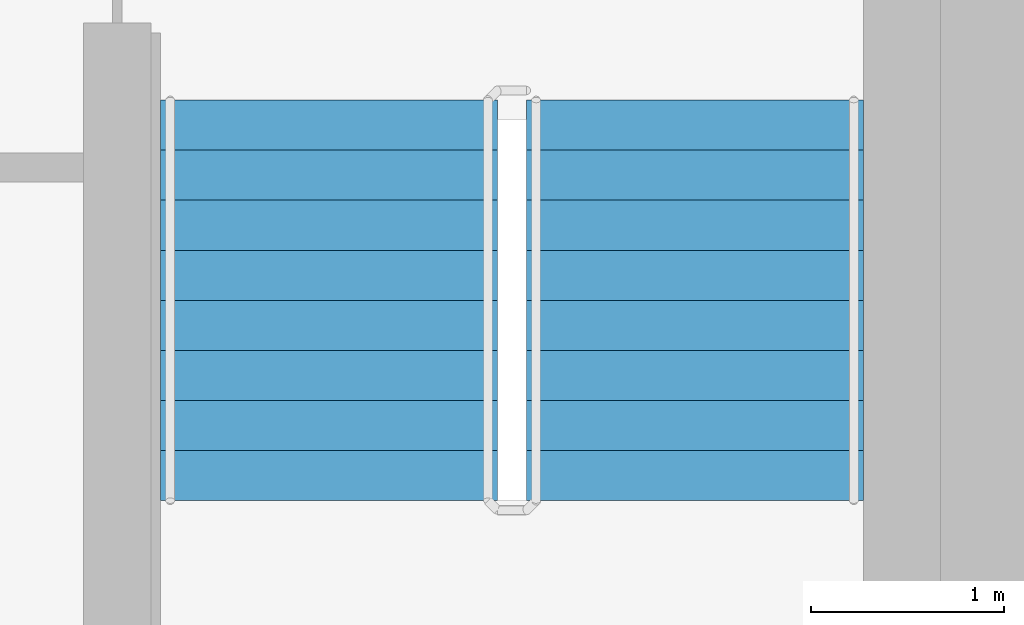
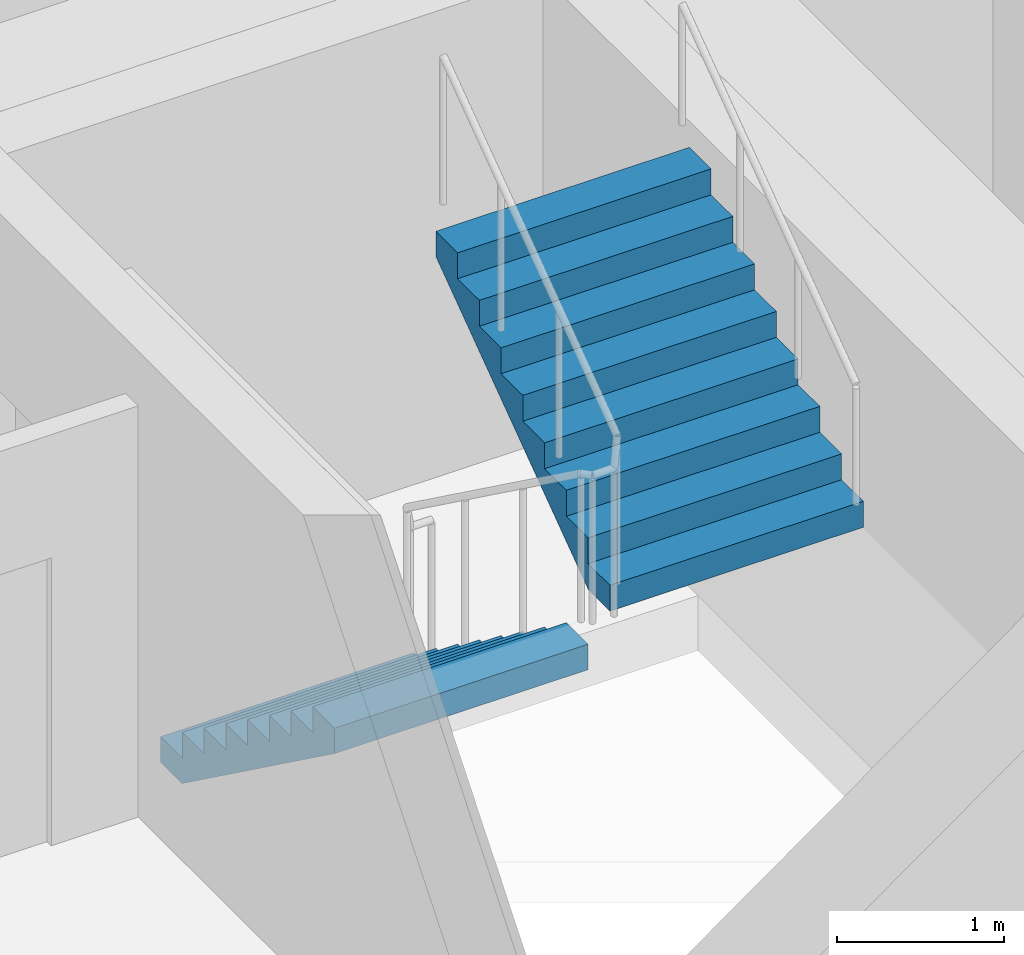
# One storey, part 15 of 19: 2 stair flights, 1 element without a shape of its own.
"""IFC4 building model written with IfcOpenShell, lengths in metres."""

from ifc_helpers import new_model, si_unit, direction, frame, origin, place, context, subcontext, project, spatial, faceted_brep, material, type_object, element, aggregate, save


model = new_model("IFC4")

# Units and contexts
model_context = context("Model", 3, precision=1e-05, world=origin(), true_north=direction((0.0, 1.0)))
body_context = subcontext(model_context, "Body", "Model", "MODEL_VIEW")
ifc_project = project(units=[si_unit("LENGTHUNIT", "METRE"), si_unit("AREAUNIT", "SQUARE_METRE"), si_unit("VOLUMEUNIT", "CUBIC_METRE"), si_unit("PLANEANGLEUNIT", "RADIAN"), si_unit("MASSUNIT", "GRAM", prefix="KILO")], contexts=[model_context])

# Site, building, storey
site_placement = place(None, origin())
site = spatial("IfcSite", under=ifc_project, at=site_placement, CompositionType="ELEMENT")
building_placement = place(site_placement, origin())
building = spatial("IfcBuilding", under=site, at=building_placement, Name="Ipe Terrace Towers", CompositionType="ELEMENT")
storey_placement = place(building_placement, frame((0.0, 0.0, 174.5)))
storey = spatial("IfcBuildingStorey", under=building, at=storey_placement, Name="L48", CompositionType="ELEMENT", Elevation=174.5)

# Stair, stair flights
ifc_material_1 = material(Name="Concrete C30/37", Category="concrete")
stair_type = type_object("IfcStairType", Name="Protected exit stair", PredefinedType="HALF_TURN_STAIR", material=ifc_material_1)
stair_placement = place(storey_placement, origin())
stair = element("IfcStair", 1, at=stair_placement, inside=storey, type_object=stair_type, Name="L48 Exit stair T2-C2", PredefinedType="HALF_TURN_STAIR")
ifc_material_2 = material(Name="Concrete C30/37", Category="concrete")
stair_flight_type = type_object("IfcStairFlightType", Name="Exit stair flight 1750", PredefinedType="STRAIGHT", material=ifc_material_2)
stair_flight_1_placement = place(storey_placement, frame((38.77490234375, -9.699951171875, 0.0), z_axis=(0.0, 0.0, 1.0), x_axis=(0.0, -1.0, 0.0)))
stair_flight_1 = element("IfcStairFlight", 2, at=stair_flight_1_placement, type_object=stair_flight_type, Name="T2-ST2 flight 1", NumberOfRisers=9, NumberOfTreads=8, PredefinedType="STRAIGHT", RiserHeight=0.188888889, TreadLength=0.26, context=body_context, shape_type="Brep", body=[
    faceted_brep([(0.255126953125, -0.875, 0.0), (2.080078125, -0.875, 1.325927734375), (2.080078125, -0.875, 1.51123046875), (1.820068359375, -0.875, 1.51123046875), (1.820068359375, -0.875, 1.322265625), (1.56005859375, -0.875, 1.322265625), (1.56005859375, -0.875, 1.13330078125), (1.300048828125, -0.875, 1.13330078125), (1.300048828125, -0.875, 0.9443359375), (1.0400390625, -0.875, 0.9443359375), (1.0400390625, -0.875, 0.755615234375), (0.780029296875, -0.875, 0.755615234375), (0.780029296875, -0.875, 0.566650390625), (0.52001953125, -0.875, 0.566650390625), (0.52001953125, -0.875, 0.377685546875), (0.260009765625, -0.875, 0.377685546875), (0.260009765625, -0.875, 0.18896484375), (0.0, -0.875, 0.18896484375), (0.0, -0.875, 0.0), (0.0, 0.875, 0.0), (0.0, 0.875, 0.18896484375), (0.260009765625, 0.875, 0.18896484375), (0.260009765625, 0.875, 0.377685546875), (0.52001953125, 0.875, 0.377685546875), (0.52001953125, 0.875, 0.566650390625), (0.780029296875, 0.875, 0.566650390625), (0.780029296875, 0.875, 0.755615234375), (1.0400390625, 0.875, 0.755615234375), (1.0400390625, 0.875, 0.9443359375), (1.300048828125, 0.875, 0.9443359375), (1.300048828125, 0.875, 1.13330078125), (1.56005859375, 0.875, 1.13330078125), (1.56005859375, 0.875, 1.322265625), (1.820068359375, 0.875, 1.322265625), (1.820068359375, 0.875, 1.51123046875), (2.080078125, 0.875, 1.51123046875), (2.080078125, 0.875, 1.325927734375), (0.255126953125, 0.875, 0.0), (0.0, -0.300048828125, 0.18896484375), (0.0, -0.1201171875, 0.18896484375), (0.0, -0.06005859375, 0.18896484375), (0.0, -0.030029296875, 0.18896484375), (0.0, -0.010009765625, 0.18896484375), (0.0, 0.0, 0.18896484375), (0.0, 0.010009765625, 0.18896484375), (0.0, 0.030029296875, 0.18896484375), (0.0, 0.06005859375, 0.18896484375), (0.0, 0.1201171875, 0.18896484375), (0.0, 0.300048828125, 0.18896484375), (0.0, 0.300048828125, 0.0), (0.0, 0.1201171875, 0.0), (0.0, 0.06005859375, 0.0), (0.0, 0.030029296875, 0.0), (0.0, 0.010009765625, 0.0), (0.0, 0.0, 0.0), (0.0, -0.010009765625, 0.0), (0.0, -0.030029296875, 0.0), (0.0, -0.06005859375, 0.0), (0.0, -0.1201171875, 0.0), (0.0, -0.300048828125, 0.0), (0.260009765625, -0.300048828125, 0.18896484375), (0.260009765625, -0.1201171875, 0.18896484375), (0.260009765625, -0.06005859375, 0.18896484375), (0.260009765625, -0.030029296875, 0.18896484375), (0.260009765625, -0.010009765625, 0.18896484375), (0.260009765625, 0.0, 0.18896484375), (0.260009765625, 0.010009765625, 0.18896484375), (0.260009765625, 0.030029296875, 0.18896484375), (0.260009765625, 0.06005859375, 0.18896484375), (0.260009765625, 0.1201171875, 0.18896484375), (0.260009765625, 0.300048828125, 0.18896484375), (0.260009765625, -0.300048828125, 0.377685546875), (0.260009765625, -0.1201171875, 0.377685546875), (0.260009765625, -0.06005859375, 0.377685546875), (0.260009765625, -0.030029296875, 0.377685546875), (0.260009765625, -0.010009765625, 0.377685546875), (0.260009765625, 0.0, 0.377685546875), (0.260009765625, 0.010009765625, 0.377685546875), (0.260009765625, 0.030029296875, 0.377685546875), (0.260009765625, 0.06005859375, 0.377685546875), (0.260009765625, 0.1201171875, 0.377685546875), (0.260009765625, 0.300048828125, 0.377685546875), (0.52001953125, -0.300048828125, 0.377685546875), (0.52001953125, -0.1201171875, 0.377685546875), (0.52001953125, -0.06005859375, 0.377685546875), (0.52001953125, -0.030029296875, 0.377685546875), (0.52001953125, -0.010009765625, 0.377685546875), (0.52001953125, 0.0, 0.377685546875), (0.52001953125, 0.010009765625, 0.377685546875), (0.52001953125, 0.030029296875, 0.377685546875), (0.52001953125, 0.06005859375, 0.377685546875), (0.52001953125, 0.1201171875, 0.377685546875), (0.52001953125, 0.300048828125, 0.377685546875), (0.52001953125, -0.300048828125, 0.566650390625), (0.52001953125, -0.1201171875, 0.566650390625), (0.52001953125, -0.06005859375, 0.566650390625), (0.52001953125, -0.030029296875, 0.566650390625), (0.52001953125, -0.010009765625, 0.566650390625), (0.52001953125, 0.0, 0.566650390625), (0.52001953125, 0.010009765625, 0.566650390625), (0.52001953125, 0.030029296875, 0.566650390625), (0.52001953125, 0.06005859375, 0.566650390625), (0.52001953125, 0.1201171875, 0.566650390625), (0.52001953125, 0.300048828125, 0.566650390625), (0.780029296875, -0.300048828125, 0.566650390625), (0.780029296875, -0.1201171875, 0.566650390625), (0.780029296875, -0.06005859375, 0.566650390625), (0.780029296875, -0.030029296875, 0.566650390625), (0.780029296875, -0.010009765625, 0.566650390625), (0.780029296875, 0.0, 0.566650390625), (0.780029296875, 0.010009765625, 0.566650390625), (0.780029296875, 0.030029296875, 0.566650390625), (0.780029296875, 0.06005859375, 0.566650390625), (0.780029296875, 0.1201171875, 0.566650390625), (0.780029296875, 0.300048828125, 0.566650390625), (0.780029296875, -0.300048828125, 0.755615234375), (0.780029296875, -0.1201171875, 0.755615234375), (0.780029296875, -0.06005859375, 0.755615234375), (0.780029296875, -0.030029296875, 0.755615234375), (0.780029296875, -0.010009765625, 0.755615234375), (0.780029296875, 0.0, 0.755615234375), (0.780029296875, 0.010009765625, 0.755615234375), (0.780029296875, 0.030029296875, 0.755615234375), (0.780029296875, 0.06005859375, 0.755615234375), (0.780029296875, 0.1201171875, 0.755615234375), (0.780029296875, 0.300048828125, 0.755615234375), (1.0400390625, -0.300048828125, 0.755615234375), (1.0400390625, -0.1201171875, 0.755615234375), (1.0400390625, -0.06005859375, 0.755615234375), (1.0400390625, -0.030029296875, 0.755615234375), (1.0400390625, -0.010009765625, 0.755615234375), (1.0400390625, 0.0, 0.755615234375), (1.0400390625, 0.010009765625, 0.755615234375), (1.0400390625, 0.030029296875, 0.755615234375), (1.0400390625, 0.06005859375, 0.755615234375), (1.0400390625, 0.1201171875, 0.755615234375), (1.0400390625, 0.300048828125, 0.755615234375), (1.0400390625, -0.300048828125, 0.9443359375), (1.0400390625, -0.1201171875, 0.9443359375), (1.0400390625, -0.06005859375, 0.9443359375), (1.0400390625, -0.030029296875, 0.9443359375), (1.0400390625, -0.010009765625, 0.9443359375), (1.0400390625, 0.0, 0.9443359375), (1.0400390625, 0.010009765625, 0.9443359375), (1.0400390625, 0.030029296875, 0.9443359375), (1.0400390625, 0.06005859375, 0.9443359375), (1.0400390625, 0.1201171875, 0.9443359375), (1.0400390625, 0.300048828125, 0.9443359375), (1.300048828125, -0.300048828125, 0.9443359375), (1.300048828125, -0.1201171875, 0.9443359375), (1.300048828125, -0.06005859375, 0.9443359375), (1.300048828125, -0.030029296875, 0.9443359375), (1.300048828125, -0.010009765625, 0.9443359375), (1.300048828125, 0.0, 0.9443359375), (1.300048828125, 0.010009765625, 0.9443359375), (1.300048828125, 0.030029296875, 0.9443359375), (1.300048828125, 0.06005859375, 0.9443359375), (1.300048828125, 0.1201171875, 0.9443359375), (1.300048828125, 0.300048828125, 0.9443359375), (1.300048828125, -0.300048828125, 1.13330078125), (1.300048828125, -0.1201171875, 1.13330078125), (1.300048828125, -0.06005859375, 1.13330078125), (1.300048828125, -0.030029296875, 1.13330078125), (1.300048828125, -0.010009765625, 1.13330078125), (1.300048828125, 0.0, 1.13330078125), (1.300048828125, 0.010009765625, 1.13330078125), (1.300048828125, 0.030029296875, 1.13330078125), (1.300048828125, 0.06005859375, 1.13330078125), (1.300048828125, 0.1201171875, 1.13330078125), (1.300048828125, 0.300048828125, 1.13330078125), (1.56005859375, -0.300048828125, 1.13330078125), (1.56005859375, -0.1201171875, 1.13330078125), (1.56005859375, -0.06005859375, 1.13330078125), (1.56005859375, -0.030029296875, 1.13330078125), (1.56005859375, -0.010009765625, 1.13330078125), (1.56005859375, 0.0, 1.13330078125), (1.56005859375, 0.010009765625, 1.13330078125), (1.56005859375, 0.030029296875, 1.13330078125), (1.56005859375, 0.06005859375, 1.13330078125), (1.56005859375, 0.1201171875, 1.13330078125), (1.56005859375, 0.300048828125, 1.13330078125), (1.56005859375, -0.300048828125, 1.322265625), (1.56005859375, -0.1201171875, 1.322265625), (1.56005859375, -0.06005859375, 1.322265625), (1.56005859375, -0.030029296875, 1.322265625), (1.56005859375, -0.010009765625, 1.322265625), (1.56005859375, 0.0, 1.322265625), (1.56005859375, 0.010009765625, 1.322265625), (1.56005859375, 0.030029296875, 1.322265625), (1.56005859375, 0.06005859375, 1.322265625), (1.56005859375, 0.1201171875, 1.322265625), (1.56005859375, 0.300048828125, 1.322265625), (1.820068359375, -0.300048828125, 1.322265625), (1.820068359375, -0.1201171875, 1.322265625), (1.820068359375, -0.06005859375, 1.322265625), (1.820068359375, -0.030029296875, 1.322265625), (1.820068359375, -0.010009765625, 1.322265625), (1.820068359375, 0.0, 1.322265625), (1.820068359375, 0.010009765625, 1.322265625), (1.820068359375, 0.030029296875, 1.322265625), (1.820068359375, 0.06005859375, 1.322265625), (1.820068359375, 0.1201171875, 1.322265625), (1.820068359375, 0.300048828125, 1.322265625), (1.820068359375, -0.300048828125, 1.51123046875), (1.820068359375, -0.1201171875, 1.51123046875), (1.820068359375, -0.06005859375, 1.51123046875), (1.820068359375, -0.030029296875, 1.51123046875), (1.820068359375, -0.010009765625, 1.51123046875), (1.820068359375, 0.0, 1.51123046875), (1.820068359375, 0.010009765625, 1.51123046875), (1.820068359375, 0.030029296875, 1.51123046875), (1.820068359375, 0.06005859375, 1.51123046875), (1.820068359375, 0.1201171875, 1.51123046875), (1.820068359375, 0.300048828125, 1.51123046875), (2.080078125, -0.300048828125, 1.51123046875), (2.080078125, -0.1201171875, 1.51123046875), (2.080078125, -0.06005859375, 1.51123046875), (2.080078125, -0.030029296875, 1.51123046875), (2.080078125, -0.010009765625, 1.51123046875), (2.080078125, 0.0, 1.51123046875), (2.080078125, 0.010009765625, 1.51123046875), (2.080078125, 0.030029296875, 1.51123046875), (2.080078125, 0.06005859375, 1.51123046875), (2.080078125, 0.1201171875, 1.51123046875), (2.080078125, 0.300048828125, 1.51123046875), (2.080078125, -0.300048828125, 1.325927734375), (2.080078125, -0.1201171875, 1.325927734375), (2.080078125, -0.06005859375, 1.325927734375), (2.080078125, -0.030029296875, 1.325927734375), (2.080078125, -0.010009765625, 1.325927734375), (2.080078125, 0.0, 1.325927734375), (2.080078125, 0.010009765625, 1.325927734375), (2.080078125, 0.030029296875, 1.325927734375), (2.080078125, 0.06005859375, 1.325927734375), (2.080078125, 0.1201171875, 1.325927734375), (2.080078125, 0.300048828125, 1.325927734375), (0.255126953125, -0.300048828125, 0.0), (0.255126953125, -0.1201171875, 0.0), (0.255126953125, -0.06005859375, 0.0), (0.255126953125, -0.030029296875, 0.0), (0.255126953125, -0.010009765625, 0.0), (0.255126953125, 0.0, 0.0), (0.255126953125, 0.010009765625, 0.0), (0.255126953125, 0.030029296875, 0.0), (0.255126953125, 0.06005859375, 0.0), (0.255126953125, 0.1201171875, 0.0), (0.255126953125, 0.300048828125, 0.0)], [[[0, 1, 2, 3, 4, 5, 6, 7, 8, 9, 10, 11, 12, 13, 14, 15, 16, 17, 18]], [[19, 20, 21, 22, 23, 24, 25, 26, 27, 28, 29, 30, 31, 32, 33, 34, 35, 36, 37]], [[17, 38, 39, 40, 41, 42, 43, 44, 45, 46, 47, 48, 20, 19, 49, 50, 51, 52, 53, 54, 55, 56, 57, 58, 59, 18]], [[16, 60, 61, 62, 63, 64, 65, 66, 67, 68, 69, 70, 21, 20, 48, 47, 46, 45, 44, 43, 42, 41, 40, 39, 38, 17]], [[15, 71, 72, 73, 74, 75, 76, 77, 78, 79, 80, 81, 22, 21, 70, 69, 68, 67, 66, 65, 64, 63, 62, 61, 60, 16]], [[14, 82, 83, 84, 85, 86, 87, 88, 89, 90, 91, 92, 23, 22, 81, 80, 79, 78, 77, 76, 75, 74, 73, 72, 71, 15]], [[13, 93, 94, 95, 96, 97, 98, 99, 100, 101, 102, 103, 24, 23, 92, 91, 90, 89, 88, 87, 86, 85, 84, 83, 82, 14]], [[12, 104, 105, 106, 107, 108, 109, 110, 111, 112, 113, 114, 25, 24, 103, 102, 101, 100, 99, 98, 97, 96, 95, 94, 93, 13]], [[11, 115, 116, 117, 118, 119, 120, 121, 122, 123, 124, 125, 26, 25, 114, 113, 112, 111, 110, 109, 108, 107, 106, 105, 104, 12]], [[10, 126, 127, 128, 129, 130, 131, 132, 133, 134, 135, 136, 27, 26, 125, 124, 123, 122, 121, 120, 119, 118, 117, 116, 115, 11]], [[9, 137, 138, 139, 140, 141, 142, 143, 144, 145, 146, 147, 28, 27, 136, 135, 134, 133, 132, 131, 130, 129, 128, 127, 126, 10]], [[8, 148, 149, 150, 151, 152, 153, 154, 155, 156, 157, 158, 29, 28, 147, 146, 145, 144, 143, 142, 141, 140, 139, 138, 137, 9]], [[7, 159, 160, 161, 162, 163, 164, 165, 166, 167, 168, 169, 30, 29, 158, 157, 156, 155, 154, 153, 152, 151, 150, 149, 148, 8]], [[6, 170, 171, 172, 173, 174, 175, 176, 177, 178, 179, 180, 31, 30, 169, 168, 167, 166, 165, 164, 163, 162, 161, 160, 159, 7]], [[5, 181, 182, 183, 184, 185, 186, 187, 188, 189, 190, 191, 32, 31, 180, 179, 178, 177, 176, 175, 174, 173, 172, 171, 170, 6]], [[4, 192, 193, 194, 195, 196, 197, 198, 199, 200, 201, 202, 33, 32, 191, 190, 189, 188, 187, 186, 185, 184, 183, 182, 181, 5]], [[3, 203, 204, 205, 206, 207, 208, 209, 210, 211, 212, 213, 34, 33, 202, 201, 200, 199, 198, 197, 196, 195, 194, 193, 192, 4]], [[2, 214, 215, 216, 217, 218, 219, 220, 221, 222, 223, 224, 35, 34, 213, 212, 211, 210, 209, 208, 207, 206, 205, 204, 203, 3]], [[1, 225, 226, 227, 228, 229, 230, 231, 232, 233, 234, 235, 36, 35, 224, 223, 222, 221, 220, 219, 218, 217, 216, 215, 214, 2]], [[0, 236, 237, 238, 239, 240, 241, 242, 243, 244, 245, 246, 37, 36, 235, 234, 233, 232, 231, 230, 229, 228, 227, 226, 225, 1]], [[18, 59, 58, 57, 56, 55, 54, 53, 52, 51, 50, 49, 19, 37, 246, 245, 244, 243, 242, 241, 240, 239, 238, 237, 236, 0]]]),
])
stair_flight_2_placement = place(storey_placement, frame((40.675048828125, -11.780029296875, 1.699951171875), z_axis=(0.0, 0.0, 1.0), x_axis=(0.0, 1.0, 0.0)))
stair_flight_2 = element("IfcStairFlight", 3, at=stair_flight_2_placement, type_object=stair_flight_type, Name="T2-ST2 flight 2", NumberOfRisers=9, NumberOfTreads=8, PredefinedType="STRAIGHT", RiserHeight=0.188888889, TreadLength=0.26, context=body_context, shape_type="Brep", body=[
    faceted_brep([(0.255126953125, -0.875, 0.0), (2.080078125, -0.875, 1.325927734375), (2.080078125, -0.875, 1.51123046875), (1.820068359375, -0.875, 1.51123046875), (1.820068359375, -0.875, 1.322265625), (1.56005859375, -0.875, 1.322265625), (1.56005859375, -0.875, 1.13330078125), (1.300048828125, -0.875, 1.13330078125), (1.300048828125, -0.875, 0.9443359375), (1.0400390625, -0.875, 0.9443359375), (1.0400390625, -0.875, 0.755615234375), (0.780029296875, -0.875, 0.755615234375), (0.780029296875, -0.875, 0.566650390625), (0.52001953125, -0.875, 0.566650390625), (0.52001953125, -0.875, 0.377685546875), (0.260009765625, -0.875, 0.377685546875), (0.260009765625, -0.875, 0.18896484375), (0.0, -0.875, 0.18896484375), (0.0, -0.875, 0.0), (0.0, 0.875, 0.0), (0.0, 0.875, 0.18896484375), (0.260009765625, 0.875, 0.18896484375), (0.260009765625, 0.875, 0.377685546875), (0.52001953125, 0.875, 0.377685546875), (0.52001953125, 0.875, 0.566650390625), (0.780029296875, 0.875, 0.566650390625), (0.780029296875, 0.875, 0.755615234375), (1.0400390625, 0.875, 0.755615234375), (1.0400390625, 0.875, 0.9443359375), (1.300048828125, 0.875, 0.9443359375), (1.300048828125, 0.875, 1.13330078125), (1.56005859375, 0.875, 1.13330078125), (1.56005859375, 0.875, 1.322265625), (1.820068359375, 0.875, 1.322265625), (1.820068359375, 0.875, 1.51123046875), (2.080078125, 0.875, 1.51123046875), (2.080078125, 0.875, 1.325927734375), (0.255126953125, 0.875, 0.0), (0.0, -0.300048828125, 0.18896484375), (0.0, -0.1201171875, 0.18896484375), (0.0, -0.06005859375, 0.18896484375), (0.0, -0.030029296875, 0.18896484375), (0.0, -0.010009765625, 0.18896484375), (0.0, 0.0, 0.18896484375), (0.0, 0.010009765625, 0.18896484375), (0.0, 0.030029296875, 0.18896484375), (0.0, 0.06005859375, 0.18896484375), (0.0, 0.1201171875, 0.18896484375), (0.0, 0.300048828125, 0.18896484375), (0.0, 0.300048828125, 0.0), (0.0, 0.1201171875, 0.0), (0.0, 0.06005859375, 0.0), (0.0, 0.030029296875, 0.0), (0.0, 0.010009765625, 0.0), (0.0, 0.0, 0.0), (0.0, -0.010009765625, 0.0), (0.0, -0.030029296875, 0.0), (0.0, -0.06005859375, 0.0), (0.0, -0.1201171875, 0.0), (0.0, -0.300048828125, 0.0), (0.260009765625, -0.300048828125, 0.18896484375), (0.260009765625, -0.1201171875, 0.18896484375), (0.260009765625, -0.06005859375, 0.18896484375), (0.260009765625, -0.030029296875, 0.18896484375), (0.260009765625, -0.010009765625, 0.18896484375), (0.260009765625, 0.0, 0.18896484375), (0.260009765625, 0.010009765625, 0.18896484375), (0.260009765625, 0.030029296875, 0.18896484375), (0.260009765625, 0.06005859375, 0.18896484375), (0.260009765625, 0.1201171875, 0.18896484375), (0.260009765625, 0.300048828125, 0.18896484375), (0.260009765625, -0.300048828125, 0.377685546875), (0.260009765625, -0.1201171875, 0.377685546875), (0.260009765625, -0.06005859375, 0.377685546875), (0.260009765625, -0.030029296875, 0.377685546875), (0.260009765625, -0.010009765625, 0.377685546875), (0.260009765625, 0.0, 0.377685546875), (0.260009765625, 0.010009765625, 0.377685546875), (0.260009765625, 0.030029296875, 0.377685546875), (0.260009765625, 0.06005859375, 0.377685546875), (0.260009765625, 0.1201171875, 0.377685546875), (0.260009765625, 0.300048828125, 0.377685546875), (0.52001953125, -0.300048828125, 0.377685546875), (0.52001953125, -0.1201171875, 0.377685546875), (0.52001953125, -0.06005859375, 0.377685546875), (0.52001953125, -0.030029296875, 0.377685546875), (0.52001953125, -0.010009765625, 0.377685546875), (0.52001953125, 0.0, 0.377685546875), (0.52001953125, 0.010009765625, 0.377685546875), (0.52001953125, 0.030029296875, 0.377685546875), (0.52001953125, 0.06005859375, 0.377685546875), (0.52001953125, 0.1201171875, 0.377685546875), (0.52001953125, 0.300048828125, 0.377685546875), (0.52001953125, -0.300048828125, 0.566650390625), (0.52001953125, -0.1201171875, 0.566650390625), (0.52001953125, -0.06005859375, 0.566650390625), (0.52001953125, -0.030029296875, 0.566650390625), (0.52001953125, -0.010009765625, 0.566650390625), (0.52001953125, 0.0, 0.566650390625), (0.52001953125, 0.010009765625, 0.566650390625), (0.52001953125, 0.030029296875, 0.566650390625), (0.52001953125, 0.06005859375, 0.566650390625), (0.52001953125, 0.1201171875, 0.566650390625), (0.52001953125, 0.300048828125, 0.566650390625), (0.780029296875, -0.300048828125, 0.566650390625), (0.780029296875, -0.1201171875, 0.566650390625), (0.780029296875, -0.06005859375, 0.566650390625), (0.780029296875, -0.030029296875, 0.566650390625), (0.780029296875, -0.010009765625, 0.566650390625), (0.780029296875, 0.0, 0.566650390625), (0.780029296875, 0.010009765625, 0.566650390625), (0.780029296875, 0.030029296875, 0.566650390625), (0.780029296875, 0.06005859375, 0.566650390625), (0.780029296875, 0.1201171875, 0.566650390625), (0.780029296875, 0.300048828125, 0.566650390625), (0.780029296875, -0.300048828125, 0.755615234375), (0.780029296875, -0.1201171875, 0.755615234375), (0.780029296875, -0.06005859375, 0.755615234375), (0.780029296875, -0.030029296875, 0.755615234375), (0.780029296875, -0.010009765625, 0.755615234375), (0.780029296875, 0.0, 0.755615234375), (0.780029296875, 0.010009765625, 0.755615234375), (0.780029296875, 0.030029296875, 0.755615234375), (0.780029296875, 0.06005859375, 0.755615234375), (0.780029296875, 0.1201171875, 0.755615234375), (0.780029296875, 0.300048828125, 0.755615234375), (1.0400390625, -0.300048828125, 0.755615234375), (1.0400390625, -0.1201171875, 0.755615234375), (1.0400390625, -0.06005859375, 0.755615234375), (1.0400390625, -0.030029296875, 0.755615234375), (1.0400390625, -0.010009765625, 0.755615234375), (1.0400390625, 0.0, 0.755615234375), (1.0400390625, 0.010009765625, 0.755615234375), (1.0400390625, 0.030029296875, 0.755615234375), (1.0400390625, 0.06005859375, 0.755615234375), (1.0400390625, 0.1201171875, 0.755615234375), (1.0400390625, 0.300048828125, 0.755615234375), (1.0400390625, -0.300048828125, 0.9443359375), (1.0400390625, -0.1201171875, 0.9443359375), (1.0400390625, -0.06005859375, 0.9443359375), (1.0400390625, -0.030029296875, 0.9443359375), (1.0400390625, -0.010009765625, 0.9443359375), (1.0400390625, 0.0, 0.9443359375), (1.0400390625, 0.010009765625, 0.9443359375), (1.0400390625, 0.030029296875, 0.9443359375), (1.0400390625, 0.06005859375, 0.9443359375), (1.0400390625, 0.1201171875, 0.9443359375), (1.0400390625, 0.300048828125, 0.9443359375), (1.300048828125, -0.300048828125, 0.9443359375), (1.300048828125, -0.1201171875, 0.9443359375), (1.300048828125, -0.06005859375, 0.9443359375), (1.300048828125, -0.030029296875, 0.9443359375), (1.300048828125, -0.010009765625, 0.9443359375), (1.300048828125, 0.0, 0.9443359375), (1.300048828125, 0.010009765625, 0.9443359375), (1.300048828125, 0.030029296875, 0.9443359375), (1.300048828125, 0.06005859375, 0.9443359375), (1.300048828125, 0.1201171875, 0.9443359375), (1.300048828125, 0.300048828125, 0.9443359375), (1.300048828125, -0.300048828125, 1.13330078125), (1.300048828125, -0.1201171875, 1.13330078125), (1.300048828125, -0.06005859375, 1.13330078125), (1.300048828125, -0.030029296875, 1.13330078125), (1.300048828125, -0.010009765625, 1.13330078125), (1.300048828125, 0.0, 1.13330078125), (1.300048828125, 0.010009765625, 1.13330078125), (1.300048828125, 0.030029296875, 1.13330078125), (1.300048828125, 0.06005859375, 1.13330078125), (1.300048828125, 0.1201171875, 1.13330078125), (1.300048828125, 0.300048828125, 1.13330078125), (1.56005859375, -0.300048828125, 1.13330078125), (1.56005859375, -0.1201171875, 1.13330078125), (1.56005859375, -0.06005859375, 1.13330078125), (1.56005859375, -0.030029296875, 1.13330078125), (1.56005859375, -0.010009765625, 1.13330078125), (1.56005859375, 0.0, 1.13330078125), (1.56005859375, 0.010009765625, 1.13330078125), (1.56005859375, 0.030029296875, 1.13330078125), (1.56005859375, 0.06005859375, 1.13330078125), (1.56005859375, 0.1201171875, 1.13330078125), (1.56005859375, 0.300048828125, 1.13330078125), (1.56005859375, -0.300048828125, 1.322265625), (1.56005859375, -0.1201171875, 1.322265625), (1.56005859375, -0.06005859375, 1.322265625), (1.56005859375, -0.030029296875, 1.322265625), (1.56005859375, -0.010009765625, 1.322265625), (1.56005859375, 0.0, 1.322265625), (1.56005859375, 0.010009765625, 1.322265625), (1.56005859375, 0.030029296875, 1.322265625), (1.56005859375, 0.06005859375, 1.322265625), (1.56005859375, 0.1201171875, 1.322265625), (1.56005859375, 0.300048828125, 1.322265625), (1.820068359375, -0.300048828125, 1.322265625), (1.820068359375, -0.1201171875, 1.322265625), (1.820068359375, -0.06005859375, 1.322265625), (1.820068359375, -0.030029296875, 1.322265625), (1.820068359375, -0.010009765625, 1.322265625), (1.820068359375, 0.0, 1.322265625), (1.820068359375, 0.010009765625, 1.322265625), (1.820068359375, 0.030029296875, 1.322265625), (1.820068359375, 0.06005859375, 1.322265625), (1.820068359375, 0.1201171875, 1.322265625), (1.820068359375, 0.300048828125, 1.322265625), (1.820068359375, -0.300048828125, 1.51123046875), (1.820068359375, -0.1201171875, 1.51123046875), (1.820068359375, -0.06005859375, 1.51123046875), (1.820068359375, -0.030029296875, 1.51123046875), (1.820068359375, -0.010009765625, 1.51123046875), (1.820068359375, 0.0, 1.51123046875), (1.820068359375, 0.010009765625, 1.51123046875), (1.820068359375, 0.030029296875, 1.51123046875), (1.820068359375, 0.06005859375, 1.51123046875), (1.820068359375, 0.1201171875, 1.51123046875), (1.820068359375, 0.300048828125, 1.51123046875), (2.080078125, -0.300048828125, 1.51123046875), (2.080078125, -0.1201171875, 1.51123046875), (2.080078125, -0.06005859375, 1.51123046875), (2.080078125, -0.030029296875, 1.51123046875), (2.080078125, -0.010009765625, 1.51123046875), (2.080078125, 0.0, 1.51123046875), (2.080078125, 0.010009765625, 1.51123046875), (2.080078125, 0.030029296875, 1.51123046875), (2.080078125, 0.06005859375, 1.51123046875), (2.080078125, 0.1201171875, 1.51123046875), (2.080078125, 0.300048828125, 1.51123046875), (2.080078125, -0.300048828125, 1.325927734375), (2.080078125, -0.1201171875, 1.325927734375), (2.080078125, -0.06005859375, 1.325927734375), (2.080078125, -0.030029296875, 1.325927734375), (2.080078125, -0.010009765625, 1.325927734375), (2.080078125, 0.0, 1.325927734375), (2.080078125, 0.010009765625, 1.325927734375), (2.080078125, 0.030029296875, 1.325927734375), (2.080078125, 0.06005859375, 1.325927734375), (2.080078125, 0.1201171875, 1.325927734375), (2.080078125, 0.300048828125, 1.325927734375), (0.255126953125, -0.300048828125, 0.0), (0.255126953125, -0.1201171875, 0.0), (0.255126953125, -0.06005859375, 0.0), (0.255126953125, -0.030029296875, 0.0), (0.255126953125, -0.010009765625, 0.0), (0.255126953125, 0.0, 0.0), (0.255126953125, 0.010009765625, 0.0), (0.255126953125, 0.030029296875, 0.0), (0.255126953125, 0.06005859375, 0.0), (0.255126953125, 0.1201171875, 0.0), (0.255126953125, 0.300048828125, 0.0)], [[[0, 1, 2, 3, 4, 5, 6, 7, 8, 9, 10, 11, 12, 13, 14, 15, 16, 17, 18]], [[19, 20, 21, 22, 23, 24, 25, 26, 27, 28, 29, 30, 31, 32, 33, 34, 35, 36, 37]], [[17, 38, 39, 40, 41, 42, 43, 44, 45, 46, 47, 48, 20, 19, 49, 50, 51, 52, 53, 54, 55, 56, 57, 58, 59, 18]], [[16, 60, 61, 62, 63, 64, 65, 66, 67, 68, 69, 70, 21, 20, 48, 47, 46, 45, 44, 43, 42, 41, 40, 39, 38, 17]], [[15, 71, 72, 73, 74, 75, 76, 77, 78, 79, 80, 81, 22, 21, 70, 69, 68, 67, 66, 65, 64, 63, 62, 61, 60, 16]], [[14, 82, 83, 84, 85, 86, 87, 88, 89, 90, 91, 92, 23, 22, 81, 80, 79, 78, 77, 76, 75, 74, 73, 72, 71, 15]], [[13, 93, 94, 95, 96, 97, 98, 99, 100, 101, 102, 103, 24, 23, 92, 91, 90, 89, 88, 87, 86, 85, 84, 83, 82, 14]], [[12, 104, 105, 106, 107, 108, 109, 110, 111, 112, 113, 114, 25, 24, 103, 102, 101, 100, 99, 98, 97, 96, 95, 94, 93, 13]], [[11, 115, 116, 117, 118, 119, 120, 121, 122, 123, 124, 125, 26, 25, 114, 113, 112, 111, 110, 109, 108, 107, 106, 105, 104, 12]], [[10, 126, 127, 128, 129, 130, 131, 132, 133, 134, 135, 136, 27, 26, 125, 124, 123, 122, 121, 120, 119, 118, 117, 116, 115, 11]], [[9, 137, 138, 139, 140, 141, 142, 143, 144, 145, 146, 147, 28, 27, 136, 135, 134, 133, 132, 131, 130, 129, 128, 127, 126, 10]], [[8, 148, 149, 150, 151, 152, 153, 154, 155, 156, 157, 158, 29, 28, 147, 146, 145, 144, 143, 142, 141, 140, 139, 138, 137, 9]], [[7, 159, 160, 161, 162, 163, 164, 165, 166, 167, 168, 169, 30, 29, 158, 157, 156, 155, 154, 153, 152, 151, 150, 149, 148, 8]], [[6, 170, 171, 172, 173, 174, 175, 176, 177, 178, 179, 180, 31, 30, 169, 168, 167, 166, 165, 164, 163, 162, 161, 160, 159, 7]], [[5, 181, 182, 183, 184, 185, 186, 187, 188, 189, 190, 191, 32, 31, 180, 179, 178, 177, 176, 175, 174, 173, 172, 171, 170, 6]], [[4, 192, 193, 194, 195, 196, 197, 198, 199, 200, 201, 202, 33, 32, 191, 190, 189, 188, 187, 186, 185, 184, 183, 182, 181, 5]], [[3, 203, 204, 205, 206, 207, 208, 209, 210, 211, 212, 213, 34, 33, 202, 201, 200, 199, 198, 197, 196, 195, 194, 193, 192, 4]], [[2, 214, 215, 216, 217, 218, 219, 220, 221, 222, 223, 224, 35, 34, 213, 212, 211, 210, 209, 208, 207, 206, 205, 204, 203, 3]], [[1, 225, 226, 227, 228, 229, 230, 231, 232, 233, 234, 235, 36, 35, 224, 223, 222, 221, 220, 219, 218, 217, 216, 215, 214, 2]], [[0, 236, 237, 238, 239, 240, 241, 242, 243, 244, 245, 246, 37, 36, 235, 234, 233, 232, 231, 230, 229, 228, 227, 226, 225, 1]], [[18, 59, 58, 57, 56, 55, 54, 53, 52, 51, 50, 49, 19, 37, 246, 245, 244, 243, 242, 241, 240, 239, 238, 237, 236, 0]]]),
])
aggregate(stair, [stair_flight_1, stair_flight_2])

save(model, "model.ifc")
